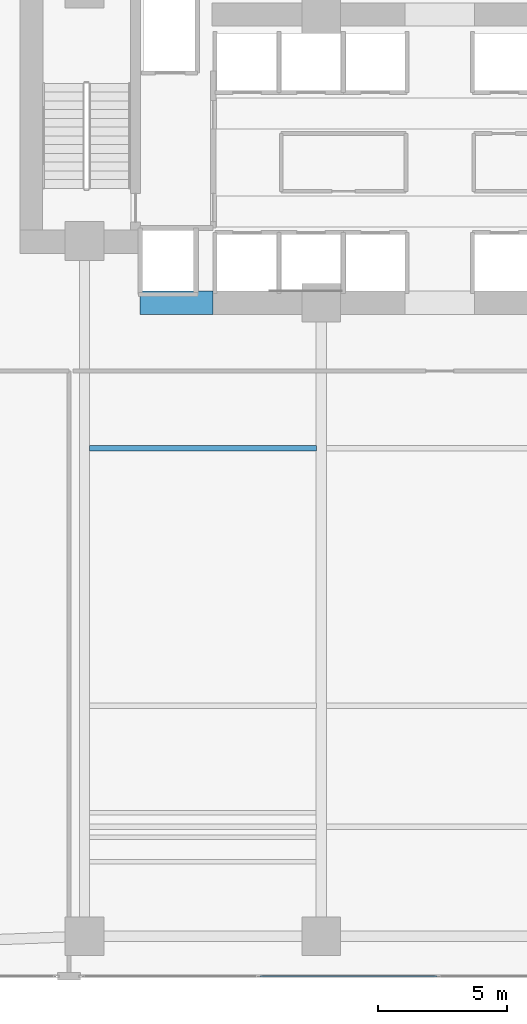
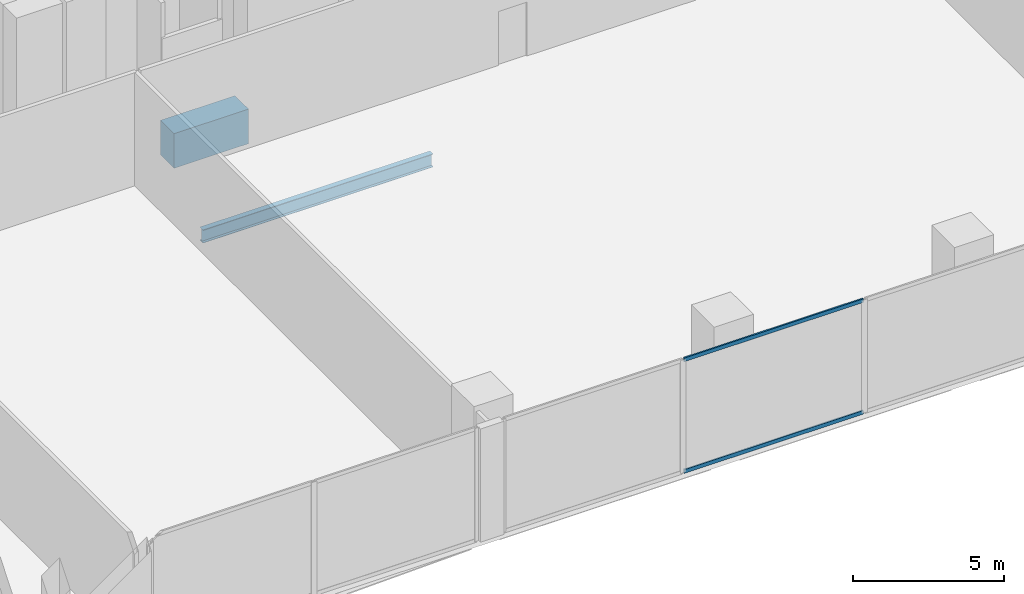
# One storey, part 7 of 28: 2 beams, 2 members, 1 element without a shape of its own.
"""IFC4 building model written with IfcOpenShell, lengths in metres."""

from ifc_helpers import new_model, si_unit, direction, frame, origin, origin_2d, place, context, subcontext, project, spatial, rectangle, hollow_rectangle, i_section, extrude, material, layer, layer_set, material_profile, profile_set, type_object, element, aggregate, save


model = new_model("IFC4")

# Units and contexts
model_context = context("Model", 3, precision=1e-05, world=origin(), true_north=direction((0.0, 1.0)))
body_context = subcontext(model_context, "Body", "Model", "MODEL_VIEW")
ifc_project = project(units=[si_unit("LENGTHUNIT", "METRE"), si_unit("AREAUNIT", "SQUARE_METRE"), si_unit("VOLUMEUNIT", "CUBIC_METRE"), si_unit("PLANEANGLEUNIT", "RADIAN"), si_unit("MASSUNIT", "GRAM", prefix="KILO")], contexts=[model_context])

# Site, building, storey
site_placement = place(None, origin())
site = spatial("IfcSite", under=ifc_project, at=site_placement, CompositionType="ELEMENT")
building_placement = place(site_placement, origin())
building = spatial("IfcBuilding", under=site, at=building_placement, Name="Zuhayl Quay Hotel", CompositionType="ELEMENT")
storey_placement = place(building_placement, frame((0.0, 0.0, 22.800048828125)))
storey = spatial("IfcBuildingStorey", under=building, at=storey_placement, Name="L04", CompositionType="ELEMENT", Elevation=22.800048828125)

# Beams
ifc_material_1 = material(Name="Concrete C60/75", Category="concrete")
ifc_material_profile_1 = material_profile(ifc_material_1, rectangle(XDim=0.89990234375, YDim=1.39990234375, at=origin_2d()), Name="RC900X1400")
ifc_profile_set_1 = profile_set([ifc_material_profile_1], Name="Concrete C60/75")
beam_type_1 = type_object("IfcBeamType", Name="BM_CB1_RC900", PredefinedType="T_BEAM", material=ifc_profile_set_1)
beam_1_placement = place(storey_placement, frame((-11.64990234375, 2.14990234375, -0.9599609375), z_axis=(1.0, 0.0, 0.0), x_axis=(0.0, 1.0, 0.0)))
element("IfcBeam", 1, at=beam_1_placement, inside=storey, type_object=beam_type_1, Name="L04 Core Coupling Beam SW", PredefinedType="T_BEAM", context=body_context, shape_type="SweptSolid", body=[
    extrude(rectangle(XDim=0.89990234375, YDim=1.39990234375, at=origin_2d()), origin(), (0.0, 0.0, 1.0), 2.849853515625),
])
ifc_material_2 = material(Name="Steel ASTM A992 Grade 50", Category="steel")
ifc_material_profile_2 = material_profile(ifc_material_2, i_section(OverallWidth=0.208984375, OverallDepth=0.532958984375, WebThickness=0.01025390625, FlangeThickness=0.015625, at=origin_2d()), Name="W21X62")
ifc_profile_set_2 = profile_set([ifc_material_profile_2], Name="Steel ASTM A992 Grade 50")
beam_type_2 = type_object("IfcBeamType", Name="BM_J1_W21X62", PredefinedType="JOIST", material=ifc_profile_set_2)
beam_2_placement = place(storey_placement, frame((-13.60595703125, -3.5, -0.526611328125), z_axis=(1.0, 0.0, 0.0), x_axis=(0.0, 1.0, 0.0)))
element("IfcBeam", 2, at=beam_2_placement, inside=storey, type_object=beam_type_2, Name="L04 Floor Beam J_POD_L04_3_1", PredefinedType="JOIST", context=body_context, shape_type="SweptSolid", body=[
    extrude(i_section(OverallWidth=0.208984375, OverallDepth=0.532958984375, WebThickness=0.01025390625, FlangeThickness=0.015625, at=origin_2d()), origin(), (0.0, 0.0, 1.0), 8.81201171875),
])

# Curtain wall, members
ifc_material_3 = material(Name="Anodised Aluminium 6063-T6", Category="aluminium")
ifc_layer = layer(ifc_material_3, 0.199951171875, Name="Anodised Aluminium 6063-T6", Category="aluminium")
ifc_layer_set = layer_set([ifc_layer], Name="Anodised Aluminium 6063-T6")
curtain_wall_type = type_object("IfcCurtainWallType", Name="CW_SYS_POD", PredefinedType="USERDEFINED", material=ifc_layer_set)
curtain_wall_placement = place(storey_placement, origin())
curtain_wall = element("IfcCurtainWall", 3, at=curtain_wall_placement, inside=storey, type_object=curtain_wall_type, Name="L04 Curtain Wall ENV_L04_E11_CW2", ObjectType="UNITISED CURTAIN WALL", PredefinedType="USERDEFINED")
ifc_material_4 = material(Name="Black-anodised aluminium 6063-T6", Category="aluminium")
ifc_material_profile_3 = material_profile(ifc_material_4, hollow_rectangle(XDim=0.06005859375, YDim=0.14990234375, WallThickness=0.00341796875, at=origin_2d()), Name="ALU150X60")
ifc_profile_set_3 = profile_set([ifc_material_profile_3], Name="Black-anodised aluminium 6063-T6")
member_type = type_object("IfcMemberType", Name="MB_CW_TRN_150", PredefinedType="USERDEFINED", material=ifc_profile_set_3)
member_1_placement = place(storey_placement, frame((-0.117431640625, -24.0, 0.030029296875), z_axis=(-1.0, 0.0, 0.0), x_axis=(0.0, -1.0, 0.0)))
member_1 = element("IfcMember", 4, at=member_1_placement, type_object=member_type, Name="CW-POD transom 3.1", ObjectType="TRANSOM", PredefinedType="USERDEFINED", context=body_context, shape_type="SweptSolid", body=[
    extrude(hollow_rectangle(XDim=0.06005859375, YDim=0.14990234375, WallThickness=0.00341796875, at=origin_2d()), origin(), (0.0, 0.0, 1.0), 6.860107421875),
])
member_2_placement = place(storey_placement, frame((-0.117431640625, -24.0, 4.550048828125), z_axis=(-1.0, 0.0, 0.0), x_axis=(0.0, -1.0, 0.0)))
member_2 = element("IfcMember", 5, at=member_2_placement, type_object=member_type, Name="CW-POD transom 3.2", ObjectType="TRANSOM", PredefinedType="USERDEFINED", context=body_context, shape_type="SweptSolid", body=[
    extrude(hollow_rectangle(XDim=0.06005859375, YDim=0.14990234375, WallThickness=0.00341796875, at=origin_2d()), origin(), (0.0, 0.0, 1.0), 6.860107421875),
])
aggregate(curtain_wall, [member_1, member_2])

save(model, "model.ifc")
